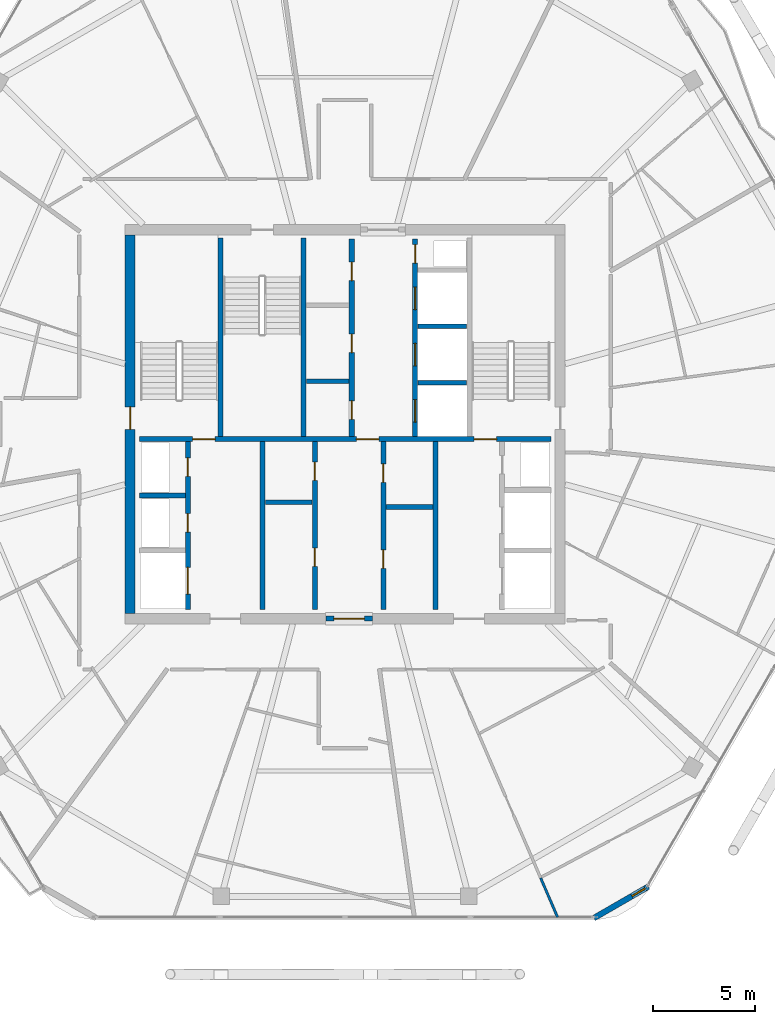
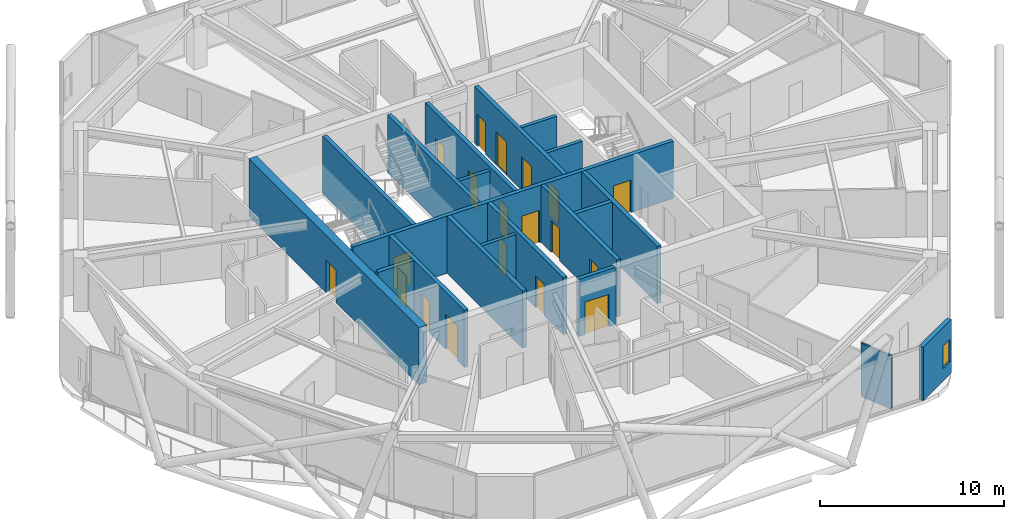
# One storey, part 18 of 24: 20 walls, 19 doors, 1 window, 20 openings.
"""IFC4 building model written with IfcOpenShell, lengths in metres."""

from ifc_helpers import new_model, si_unit, direction, frame, frame_2d, origin, place, context, subcontext, project, spatial, rectangle, extrude, material, layer, layer_set, type_object, element, fill, save


model = new_model("IFC4")

# Units and contexts
model_context = context("Model", 3, precision=1e-05, world=origin(), true_north=direction((0.0, 1.0)))
body_context = subcontext(model_context, "Body", "Model", "MODEL_VIEW")
ifc_project = project(units=[si_unit("LENGTHUNIT", "METRE"), si_unit("AREAUNIT", "SQUARE_METRE"), si_unit("VOLUMEUNIT", "CUBIC_METRE"), si_unit("PLANEANGLEUNIT", "RADIAN"), si_unit("MASSUNIT", "GRAM", prefix="KILO")], contexts=[model_context])

# Site, building, storey
site_placement = place(None, origin())
site = spatial("IfcSite", under=ifc_project, at=site_placement, CompositionType="ELEMENT")
building_placement = place(site_placement, origin())
building = spatial("IfcBuilding", under=site, at=building_placement, Name="Zuhravey Tower", CompositionType="ELEMENT")
storey_placement = place(building_placement, frame((0.0, 0.0, 308.199951171875)))
storey = spatial("IfcBuildingStorey", under=building, at=storey_placement, Name="L78", CompositionType="ELEMENT", Elevation=308.199951171875)

# Wall, opening, door
ifc_material_1 = material(Name="Concrete C50/60", Category="concrete")
ifc_layer_1 = layer(ifc_material_1, 0.5)
ifc_layer_set_1 = layer_set([ifc_layer_1], Name="Concrete C50/60")
wall_type_1 = type_object("IfcWallType", Name="Core Shear Wall 500", PredefinedType="SHEAR", material=ifc_layer_set_1)
wall_1_placement = place(storey_placement, frame((25.5, 22.75, 0.0), z_axis=(0.0, 0.0, 1.0), x_axis=(0.0, 1.0, 0.0)))
wall_1 = element("IfcWall", 1, at=wall_1_placement, inside=storey, type_object=wall_type_1, Name="L78 West Core Shear Wall CW50", PredefinedType="SHEAR", context=body_context, shape_type="SweptSolid", body=[
    extrude(rectangle(XDim=18.5, YDim=0.5, at=frame_2d((9.25, 0.0))), origin(), (0.0, 0.0, 1.0), 3.800048828125),
])
opening_1_placement = place(wall_1_placement, frame((9.0, 0.0, 0.0)))
opening_1 = element("IfcOpeningElement", 2, at=opening_1_placement, cuts=wall_1, Name="Opening STD1", PredefinedType="OPENING", context=body_context, shape_type="SweptSolid", body=[
    extrude(rectangle(XDim=1.10009765625, YDim=2.14990234375, at=frame_2d((0.550048828125, 1.074951171875))), frame((0.0, 0.261962890625, 0.0), z_axis=(0.0, -1.0, 0.0), x_axis=(1.0, 0.0, 0.0)), (0.0, 0.0, 1.0), 0.52392578125),
])
ifc_material_2 = material(Name="Galvanised fire-rated steel leaf", Category="steel")
door_type_1 = type_object("IfcDoorType", Name="Protected Stair Fire Door 1100x2150", OperationType="NOTDEFINED", PredefinedType="USERDEFINED", material=ifc_material_2)
door_1_placement = place(opening_1_placement, frame((1.10009765625, 0.0, 0.0), z_axis=(0.0, 0.0, 1.0), x_axis=(-1.0, 0.0, 0.0)))
door_1 = element("IfcDoor", 3, at=door_1_placement, inside=storey, type_object=door_type_1, Name="L78 Stair ST1 Door", ObjectType="EXITDOOR", OperationType="SINGLE_SWING_RIGHT", OverallHeight=2.14990234375, OverallWidth=1.10009765625, PredefinedType="USERDEFINED", context=body_context, shape_type="SweptSolid", body=[
    extrude(rectangle(XDim=1.10009765625, YDim=2.14990234375, at=frame_2d((0.550048828125, 1.074951171875))), frame((0.0, 0.02490234375, 0.0), z_axis=(0.0, -1.0, 0.0), x_axis=(1.0, 0.0, 0.0)), (0.0, 0.0, 1.0), 0.050048828125),
])
fill(opening_1, door_1)

# Wall, opening, window
ifc_material_3 = material(Name="Precast concrete C40/50", Category="concrete")
ifc_layer_2 = layer(ifc_material_3, 0.280029296875)
ifc_layer_set_2 = layer_set([ifc_layer_2], Name="Precast concrete C40/50")
wall_type_2 = type_object("IfcWallType", Name="Crown Architectural Wall 280", PredefinedType="SOLIDWALL", material=ifc_layer_set_2)
wall_2_placement = place(storey_placement, frame((50.811279296875, 9.410888671875, 0.0), z_axis=(0.0, 0.0, 1.0), x_axis=(-0.866023752521, -0.50000286006, 0.0)))
wall_2 = element("IfcWall", 4, at=wall_2_placement, inside=storey, type_object=wall_type_2, Name="L78 Rounded Corner Closure Wall EW28-02", PredefinedType="SOLIDWALL", context=body_context, shape_type="SweptSolid", body=[
    extrude(rectangle(XDim=3.06494140625, YDim=0.280029296875, at=frame_2d((1.532470703125, 0.0))), origin(), (0.0, 0.0, 1.0), 3.550048828125),
])
opening_2_placement = place(wall_2_placement, frame((0.1728515625, 0.0, 0.85009765625)))
opening_2 = element("IfcOpeningElement", 5, at=opening_2_placement, cuts=wall_2, Name="Opening WN5", PredefinedType="OPENING", context=body_context, shape_type="SweptSolid", body=[
    extrude(rectangle(XDim=0.75, YDim=1.5, at=frame_2d((0.375, 0.75))), frame((0.0, 0.152099609375, 0.0), z_axis=(0.0, -1.0, 0.0), x_axis=(1.0, 0.0, 0.0)), (0.0, 0.0, 1.0), 0.303955078125),
])
ifc_material_4 = material(Name="Thermally broken aluminium and triple low-E glass", Category="aluminium")
window_type = type_object("IfcWindowType", Name="Residential Corner Casement Window 750x1500", PartitioningType="SINGLE_PANEL", PredefinedType="WINDOW", material=ifc_material_4)
window_placement = place(opening_2_placement, origin())
window = element("IfcWindow", 6, at=window_placement, inside=storey, type_object=window_type, Name="L78 Corner Casement Window WN5-02.1", OverallHeight=1.5, OverallWidth=0.75, PartitioningType="SINGLE_PANEL", PredefinedType="WINDOW", context=body_context, shape_type="SweptSolid", body=[
    extrude(rectangle(XDim=0.75, YDim=1.5, at=frame_2d((0.375, 0.75))), frame((0.0, 0.030029296875, 0.0), z_axis=(0.0, -1.0, 0.0), x_axis=(1.0, 0.0, 0.0)), (0.0, 0.0, 1.0), 0.06005859375),
])
fill(opening_2, window)

# Wall, opening, door
ifc_layer_3 = layer(ifc_material_1, 0.25)
ifc_layer_set_3 = layer_set([ifc_layer_3], Name="Concrete C50/60")
wall_type_3 = type_object("IfcWallType", Name="Firefighting Shaft & Stair Wall 250", PredefinedType="SOLIDWALL", material=ifc_layer_set_3)
wall_3_placement = place(storey_placement, frame((35.06005859375, 22.5, 0.0), z_axis=(0.0, 0.0, 1.0), x_axis=(1.0, 0.0, 0.0)))
wall_3 = element("IfcWall", 7, at=wall_3_placement, inside=storey, type_object=wall_type_3, Name="L78 FW25 Shaft Wall 001", PredefinedType="SOLIDWALL", context=body_context, shape_type="SweptSolid", body=[
    extrude(rectangle(XDim=2.280029296875, YDim=0.25, at=frame_2d((1.14013671875, 0.0))), origin(), (0.0, 0.0, 1.0), 3.800048828125),
])
opening_3_placement = place(wall_3_placement, frame((0.389892578125, 0.0, 0.0)))
opening_3 = element("IfcOpeningElement", 8, at=opening_3_placement, cuts=wall_3, Name="Opening FFD1", PredefinedType="OPENING", context=body_context, shape_type="SweptSolid", body=[
    extrude(rectangle(XDim=1.5, YDim=2.14990234375, at=frame_2d((0.75, 1.074951171875))), frame((0.0, 0.136962890625, 0.0), z_axis=(0.0, -1.0, 0.0), x_axis=(1.0, 0.0, 0.0)), (0.0, 0.0, 1.0), 0.27392578125),
])
door_type_2 = type_object("IfcDoorType", Name="Firefighting Lobby Double Door 1500x2150", OperationType="DOUBLE_DOOR_SINGLE_SWING", PredefinedType="DOOR", material=ifc_material_2)
door_2_placement = place(opening_3_placement, frame((1.5, 0.0, 0.0), z_axis=(0.0, 0.0, 1.0), x_axis=(-1.0, 0.0, 0.0)))
door_2 = element("IfcDoor", 9, at=door_2_placement, inside=storey, type_object=door_type_2, Name="L78 South Lift Lobby Exit Door", OperationType="DOUBLE_DOOR_SINGLE_SWING", OverallHeight=2.14990234375, OverallWidth=1.5, PredefinedType="DOOR", context=body_context, shape_type="SweptSolid", body=[
    extrude(rectangle(XDim=1.5, YDim=2.14990234375, at=frame_2d((0.75, 1.074951171875))), frame((0.0, 0.02490234375, 0.0), z_axis=(0.0, -1.0, 0.0), x_axis=(1.0, 0.0, 0.0)), (0.0, 0.0, 1.0), 0.050048828125),
])
fill(opening_3, door_2)

# Wall, openings, doors
wall_4_placement = place(storey_placement, frame((25.949951171875, 31.27490234375, 0.0), z_axis=(0.0, 0.0, 1.0), x_axis=(1.0, 0.0, 0.0)))
wall_4 = element("IfcWall", 10, at=wall_4_placement, inside=storey, type_object=wall_type_3, Name="L78 FW25 Shaft Wall 003", PredefinedType="SOLIDWALL", context=body_context, shape_type="SweptSolid", body=[
    extrude(rectangle(XDim=20.10009765625, YDim=0.25, at=frame_2d((10.050048828125, 0.0))), origin(), (0.0, 0.0, 1.0), 3.800048828125),
])
opening_4_placement = place(wall_4_placement, frame((2.60009765625, 0.0, 0.0)))
opening_4 = element("IfcOpeningElement", 11, at=opening_4_placement, cuts=wall_4, Name="Opening STD1", PredefinedType="OPENING", context=body_context, shape_type="SweptSolid", body=[
    extrude(rectangle(XDim=1.10009765625, YDim=2.14990234375, at=frame_2d((0.550048828125, 1.074951171875))), frame((0.0, 0.136962890625, 0.0), z_axis=(0.0, -1.0, 0.0), x_axis=(1.0, 0.0, 0.0)), (0.0, 0.0, 1.0), 0.27392578125),
])
opening_5_placement = place(wall_4_placement, frame((10.60009765625, 0.0, 0.0)))
opening_5 = element("IfcOpeningElement", 12, at=opening_5_placement, cuts=wall_4, Name="Opening STD1", PredefinedType="OPENING", context=body_context, shape_type="SweptSolid", body=[
    extrude(rectangle(XDim=1.10009765625, YDim=2.14990234375, at=frame_2d((0.550048828125, 1.074951171875))), frame((0.0, 0.136962890625, 0.0), z_axis=(0.0, -1.0, 0.0), x_axis=(1.0, 0.0, 0.0)), (0.0, 0.0, 1.0), 0.27392578125),
])
opening_6_placement = place(wall_4_placement, frame((16.35009765625, 0.0, 0.0)))
opening_6 = element("IfcOpeningElement", 13, at=opening_6_placement, cuts=wall_4, Name="Opening STD1", PredefinedType="OPENING", context=body_context, shape_type="SweptSolid", body=[
    extrude(rectangle(XDim=1.10009765625, YDim=2.14990234375, at=frame_2d((0.550048828125, 1.074951171875))), frame((0.0, 0.136962890625, 0.0), z_axis=(0.0, -1.0, 0.0), x_axis=(1.0, 0.0, 0.0)), (0.0, 0.0, 1.0), 0.27392578125),
])
door_3_placement = place(opening_4_placement, origin())
door_3 = element("IfcDoor", 14, at=door_3_placement, inside=storey, type_object=door_type_1, Name="L78 FFL-W to ST1 Door", ObjectType="EXITDOOR", OperationType="SINGLE_SWING_LEFT", OverallHeight=2.14990234375, OverallWidth=1.10009765625, PredefinedType="USERDEFINED", context=body_context, shape_type="SweptSolid", body=[
    extrude(rectangle(XDim=1.10009765625, YDim=2.14990234375, at=frame_2d((0.550048828125, 1.074951171875))), frame((0.0, 0.02490234375, 0.0), z_axis=(0.0, -1.0, 0.0), x_axis=(1.0, 0.0, 0.0)), (0.0, 0.0, 1.0), 0.050048828125),
])
fill(opening_4, door_3)
door_4_placement = place(opening_5_placement, origin())
door_4 = element("IfcDoor", 15, at=door_4_placement, inside=storey, type_object=door_type_1, Name="L78 Core Lobby Link Door", ObjectType="EXITDOOR", OperationType="SINGLE_SWING_RIGHT", OverallHeight=2.14990234375, OverallWidth=1.10009765625, PredefinedType="USERDEFINED", context=body_context, shape_type="SweptSolid", body=[
    extrude(rectangle(XDim=1.10009765625, YDim=2.14990234375, at=frame_2d((0.550048828125, 1.074951171875))), frame((0.0, 0.02490234375, 0.0), z_axis=(0.0, -1.0, 0.0), x_axis=(1.0, 0.0, 0.0)), (0.0, 0.0, 1.0), 0.050048828125),
])
fill(opening_5, door_4)
door_5_placement = place(opening_6_placement, origin())
door_5 = element("IfcDoor", 16, at=door_5_placement, inside=storey, type_object=door_type_1, Name="L78 FFL-E to ST2 Door", ObjectType="EXITDOOR", OperationType="SINGLE_SWING_LEFT", OverallHeight=2.14990234375, OverallWidth=1.10009765625, PredefinedType="USERDEFINED", context=body_context, shape_type="SweptSolid", body=[
    extrude(rectangle(XDim=1.10009765625, YDim=2.14990234375, at=frame_2d((0.550048828125, 1.074951171875))), frame((0.0, 0.02490234375, 0.0), z_axis=(0.0, -1.0, 0.0), x_axis=(1.0, 0.0, 0.0)), (0.0, 0.0, 1.0), 0.050048828125),
])
fill(opening_6, door_5)

# Walls
for number, where, z_axis, x_axis, name in (
    (17, (29.925048828125, 31.39990234375, 0.0), (0.0, 0.0, 1.0), (0.0, 1.0, 0.0), "L78 FW25 Shaft Wall 004"),
    (18, (33.97509765625, 31.39990234375, 0.0), (0.0, 0.0, 1.0), (0.0, 1.0, 0.0), "L78 FW25 Shaft Wall 005"),
):
    element("IfcWall", number, at=place(storey_placement, frame(where, z_axis=z_axis, x_axis=x_axis)), inside=storey, type_object=wall_type_3, Name=name, PredefinedType="SOLIDWALL", context=body_context, shape_type="SweptSolid", body=[
        extrude(rectangle(XDim=9.7001953125, YDim=0.25, at=frame_2d((4.85009765625, 0.0))), origin(), (0.0, 0.0, 1.0), 3.800048828125),
    ])

# Wall, openings, doors
wall_5_placement = place(storey_placement, frame((36.324951171875, 31.39990234375, 0.0), z_axis=(0.0, 0.0, 1.0), x_axis=(0.0, 1.0, 0.0)))
wall_5 = element("IfcWall", 19, at=wall_5_placement, inside=storey, type_object=wall_type_3, Name="L78 FW25 Shaft Wall 007", PredefinedType="SOLIDWALL", context=body_context, shape_type="SweptSolid", body=[
    extrude(rectangle(XDim=9.650146484375, YDim=0.25, at=frame_2d((4.8251953125, 0.0))), origin(), (0.0, 0.0, 1.0), 3.800048828125),
])
opening_7_placement = place(wall_5_placement, frame((0.840087890625, 0.0, 0.0)))
opening_7 = element("IfcOpeningElement", 20, at=opening_7_placement, cuts=wall_5, Name="Opening RSD1", PredefinedType="OPENING", context=body_context, shape_type="SweptSolid", body=[
    extrude(rectangle(XDim=0.89990234375, YDim=2.10009765625, at=frame_2d((0.449951171875, 1.050048828125))), frame((0.0, 0.136962890625, 0.0), z_axis=(0.0, -1.0, 0.0), x_axis=(1.0, 0.0, 0.0)), (0.0, 0.0, 1.0), 0.27392578125),
])
opening_8_placement = place(wall_5_placement, frame((4.10009765625, 0.0, 0.0)))
opening_8 = element("IfcOpeningElement", 21, at=opening_8_placement, cuts=wall_5, Name="Opening RSD1", PredefinedType="OPENING", context=body_context, shape_type="SweptSolid", body=[
    extrude(rectangle(XDim=0.89990234375, YDim=2.10009765625, at=frame_2d((0.449951171875, 1.050048828125))), frame((0.0, 0.136962890625, 0.0), z_axis=(0.0, -1.0, 0.0), x_axis=(1.0, 0.0, 0.0)), (0.0, 0.0, 1.0), 0.27392578125),
])
opening_9_placement = place(wall_5_placement, frame((7.610107421875, 0.0, 0.0)))
opening_9 = element("IfcOpeningElement", 22, at=opening_9_placement, cuts=wall_5, Name="Opening RSD1", PredefinedType="OPENING", context=body_context, shape_type="SweptSolid", body=[
    extrude(rectangle(XDim=0.89990234375, YDim=2.10009765625, at=frame_2d((0.449951171875, 1.050048828125))), frame((0.0, 0.136962890625, 0.0), z_axis=(0.0, -1.0, 0.0), x_axis=(1.0, 0.0, 0.0)), (0.0, 0.0, 1.0), 0.27392578125),
])
ifc_material_5 = material(Name="Galvanised fire-rated steel access leaf", Category="steel")
door_type_3 = type_object("IfcDoorType", Name="Riser & Shaft Access Fire Door 900x2100", OperationType="NOTDEFINED", PredefinedType="DOOR", material=ifc_material_5)
door_6_placement = place(opening_7_placement, origin())
door_6 = element("IfcDoor", 23, at=door_6_placement, inside=storey, type_object=door_type_3, Name="L78 Core Staff WC Door", OperationType="SINGLE_SWING_RIGHT", OverallHeight=2.10009765625, OverallWidth=0.89990234375, PredefinedType="DOOR", context=body_context, shape_type="SweptSolid", body=[
    extrude(rectangle(XDim=0.89990234375, YDim=2.10009765625, at=frame_2d((0.449951171875, 1.050048828125))), frame((0.0, 0.02490234375, 0.0), z_axis=(0.0, -1.0, 0.0), x_axis=(1.0, 0.0, 0.0)), (0.0, 0.0, 1.0), 0.050048828125),
])
fill(opening_7, door_6)
door_7_placement = place(opening_8_placement, origin())
door_7 = element("IfcDoor", 24, at=door_7_placement, inside=storey, type_object=door_type_3, Name="L78 IT and Comms Room Door", OperationType="SINGLE_SWING_LEFT", OverallHeight=2.10009765625, OverallWidth=0.89990234375, PredefinedType="DOOR", context=body_context, shape_type="SweptSolid", body=[
    extrude(rectangle(XDim=0.89990234375, YDim=2.10009765625, at=frame_2d((0.449951171875, 1.050048828125))), frame((0.0, 0.02490234375, 0.0), z_axis=(0.0, -1.0, 0.0), x_axis=(1.0, 0.0, 0.0)), (0.0, 0.0, 1.0), 0.050048828125),
])
fill(opening_8, door_7)
door_8_placement = place(opening_9_placement, origin())
door_8 = element("IfcDoor", 25, at=door_8_placement, inside=storey, type_object=door_type_3, Name="L78 Janitor Linen Store Door", OperationType="SINGLE_SWING_RIGHT", OverallHeight=2.10009765625, OverallWidth=0.89990234375, PredefinedType="DOOR", context=body_context, shape_type="SweptSolid", body=[
    extrude(rectangle(XDim=0.89990234375, YDim=2.10009765625, at=frame_2d((0.449951171875, 1.050048828125))), frame((0.0, 0.02490234375, 0.0), z_axis=(0.0, -1.0, 0.0), x_axis=(1.0, 0.0, 0.0)), (0.0, 0.0, 1.0), 0.050048828125),
])
fill(opening_9, door_8)

wall_6_placement = place(storey_placement, frame((39.425048828125, 31.39990234375, 0.0), z_axis=(0.0, 0.0, 1.0), x_axis=(0.0, 1.0, 0.0)))
wall_6 = element("IfcWall", 26, at=wall_6_placement, inside=storey, type_object=wall_type_3, Name="L78 FW25 Shaft Wall 008", PredefinedType="SOLIDWALL", context=body_context, shape_type="SweptSolid", body=[
    extrude(rectangle(XDim=9.650146484375, YDim=0.25, at=frame_2d((4.8251953125, 0.0))), origin(), (0.0, 0.0, 1.0), 3.800048828125),
])
opening_10_placement = place(wall_6_placement, frame((0.699951171875, 0.0, 0.0)))
opening_10 = element("IfcOpeningElement", 27, at=opening_10_placement, cuts=wall_6, Name="Opening LD1", PredefinedType="OPENING", context=body_context, shape_type="SweptSolid", body=[
    extrude(rectangle(XDim=1.10009765625, YDim=2.199951171875, at=frame_2d((0.550048828125, 1.10009765625))), frame((0.0, 0.136962890625, 0.0), z_axis=(0.0, -1.0, 0.0), x_axis=(1.0, 0.0, 0.0)), (0.0, 0.0, 1.0), 0.27392578125),
])
opening_11_placement = place(wall_6_placement, frame((3.449951171875, 0.0, 0.0)))
opening_11 = element("IfcOpeningElement", 28, at=opening_11_placement, cuts=wall_6, Name="Opening LD1", PredefinedType="OPENING", context=body_context, shape_type="SweptSolid", body=[
    extrude(rectangle(XDim=1.10009765625, YDim=2.199951171875, at=frame_2d((0.550048828125, 1.10009765625))), frame((0.0, 0.136962890625, 0.0), z_axis=(0.0, -1.0, 0.0), x_axis=(1.0, 0.0, 0.0)), (0.0, 0.0, 1.0), 0.27392578125),
])
opening_12_placement = place(wall_6_placement, frame((6.199951171875, 0.0, 0.0)))
opening_12 = element("IfcOpeningElement", 29, at=opening_12_placement, cuts=wall_6, Name="Opening LD1", PredefinedType="OPENING", context=body_context, shape_type="SweptSolid", body=[
    extrude(rectangle(XDim=1.10009765625, YDim=2.199951171875, at=frame_2d((0.550048828125, 1.10009765625))), frame((0.0, 0.136962890625, 0.0), z_axis=(0.0, -1.0, 0.0), x_axis=(1.0, 0.0, 0.0)), (0.0, 0.0, 1.0), 0.27392578125),
])
opening_13_placement = place(wall_6_placement, frame((8.469970703125, 0.0, 0.0)))
opening_13 = element("IfcOpeningElement", 30, at=opening_13_placement, cuts=wall_6, Name="Opening RSD1", PredefinedType="OPENING", context=body_context, shape_type="SweptSolid", body=[
    extrude(rectangle(XDim=0.89990234375, YDim=2.10009765625, at=frame_2d((0.449951171875, 1.050048828125))), frame((0.0, 0.136962890625, 0.0), z_axis=(0.0, -1.0, 0.0), x_axis=(1.0, 0.0, 0.0)), (0.0, 0.0, 1.0), 0.27392578125),
])
ifc_material_6 = material(Name="Brushed stainless steel", Category="steel")
door_type_4 = type_object("IfcDoorType", Name="Lift Landing Sliding Door 1100x2200", OperationType="DOUBLE_DOOR_SLIDING", PredefinedType="DOOR", material=ifc_material_6)
door_9_placement = place(opening_10_placement, origin())
door_9 = element("IfcDoor", 31, at=door_9_placement, inside=storey, type_object=door_type_4, Name="L78 Lift PL7 Landing Door", OperationType="DOUBLE_DOOR_SLIDING", OverallHeight=2.199951171875, OverallWidth=1.10009765625, PredefinedType="DOOR", context=body_context, shape_type="SweptSolid", body=[
    extrude(rectangle(XDim=1.10009765625, YDim=2.199951171875, at=frame_2d((0.550048828125, 1.10009765625))), frame((0.0, 0.02490234375, 0.0), z_axis=(0.0, -1.0, 0.0), x_axis=(1.0, 0.0, 0.0)), (0.0, 0.0, 1.0), 0.050048828125),
])
fill(opening_10, door_9)
door_10_placement = place(opening_11_placement, origin())
door_10 = element("IfcDoor", 32, at=door_10_placement, inside=storey, type_object=door_type_4, Name="L78 Lift PL8 Landing Door", OperationType="DOUBLE_DOOR_SLIDING", OverallHeight=2.199951171875, OverallWidth=1.10009765625, PredefinedType="DOOR", context=body_context, shape_type="SweptSolid", body=[
    extrude(rectangle(XDim=1.10009765625, YDim=2.199951171875, at=frame_2d((0.550048828125, 1.10009765625))), frame((0.0, 0.02490234375, 0.0), z_axis=(0.0, -1.0, 0.0), x_axis=(1.0, 0.0, 0.0)), (0.0, 0.0, 1.0), 0.050048828125),
])
fill(opening_11, door_10)
door_11_placement = place(opening_12_placement, origin())
door_11 = element("IfcDoor", 33, at=door_11_placement, inside=storey, type_object=door_type_4, Name="L78 Lift PL9 Landing Door", OperationType="DOUBLE_DOOR_SLIDING", OverallHeight=2.199951171875, OverallWidth=1.10009765625, PredefinedType="DOOR", context=body_context, shape_type="SweptSolid", body=[
    extrude(rectangle(XDim=1.10009765625, YDim=2.199951171875, at=frame_2d((0.550048828125, 1.10009765625))), frame((0.0, 0.02490234375, 0.0), z_axis=(0.0, -1.0, 0.0), x_axis=(1.0, 0.0, 0.0)), (0.0, 0.0, 1.0), 0.050048828125),
])
fill(opening_12, door_11)
door_12_placement = place(opening_13_placement, origin())
door_12 = element("IfcDoor", 34, at=door_12_placement, inside=storey, type_object=door_type_3, Name="L78 North Riser Door", OperationType="SINGLE_SWING_LEFT", OverallHeight=2.10009765625, OverallWidth=0.89990234375, PredefinedType="DOOR", context=body_context, shape_type="SweptSolid", body=[
    extrude(rectangle(XDim=0.89990234375, YDim=2.10009765625, at=frame_2d((0.449951171875, 1.050048828125))), frame((0.0, 0.02490234375, 0.0), z_axis=(0.0, -1.0, 0.0), x_axis=(1.0, 0.0, 0.0)), (0.0, 0.0, 1.0), 0.050048828125),
])
fill(opening_13, door_12)

# Wall
wall_7_placement = place(storey_placement, frame((25.949951171875, 28.52490234375, 0.0), z_axis=(0.0, 0.0, 1.0), x_axis=(1.0, 0.0, 0.0)))
element("IfcWall", 35, at=wall_7_placement, inside=storey, type_object=wall_type_3, Name="L78 FW25 Shaft Wall 010", PredefinedType="SOLIDWALL", context=body_context, shape_type="SweptSolid", body=[
    extrude(rectangle(XDim=2.25, YDim=0.25, at=frame_2d((1.125, 0.0))), origin(), (0.0, 0.0, 1.0), 3.800048828125),
])

# Wall, openings, doors
wall_8_placement = place(storey_placement, frame((28.324951171875, 22.949951171875, 0.0), z_axis=(0.0, 0.0, 1.0), x_axis=(0.0, 1.0, 0.0)))
wall_8 = element("IfcWall", 36, at=wall_8_placement, inside=storey, type_object=wall_type_3, Name="L78 FW25 Shaft Wall 011", PredefinedType="SOLIDWALL", context=body_context, shape_type="SweptSolid", body=[
    extrude(rectangle(XDim=8.199951171875, YDim=0.25, at=frame_2d((4.10009765625, 0.0))), origin(), (0.0, 0.0, 1.0), 3.800048828125),
])
opening_14_placement = place(wall_8_placement, frame((0.75, 0.0, 0.0)))
opening_14 = element("IfcOpeningElement", 37, at=opening_14_placement, cuts=wall_8, Name="Opening LD2", PredefinedType="OPENING", context=body_context, shape_type="SweptSolid", body=[
    extrude(rectangle(XDim=1.300048828125, YDim=2.300048828125, at=frame_2d((0.64990234375, 1.14990234375))), frame((0.0, 0.136962890625, 0.0), z_axis=(0.0, -1.0, 0.0), x_axis=(1.0, 0.0, 0.0)), (0.0, 0.0, 1.0), 0.27392578125),
])
opening_15_placement = place(wall_8_placement, frame((3.780029296875, 0.0, 0.0)))
opening_15 = element("IfcOpeningElement", 38, at=opening_15_placement, cuts=wall_8, Name="Opening RSD1", PredefinedType="OPENING", context=body_context, shape_type="SweptSolid", body=[
    extrude(rectangle(XDim=0.89990234375, YDim=2.10009765625, at=frame_2d((0.449951171875, 1.050048828125))), frame((0.0, 0.136962890625, 0.0), z_axis=(0.0, -1.0, 0.0), x_axis=(1.0, 0.0, 0.0)), (0.0, 0.0, 1.0), 0.27392578125),
])
opening_16_placement = place(wall_8_placement, frame((6.5, 0.0, 0.0)))
opening_16 = element("IfcOpeningElement", 39, at=opening_16_placement, cuts=wall_8, Name="Opening RSD1", PredefinedType="OPENING", context=body_context, shape_type="SweptSolid", body=[
    extrude(rectangle(XDim=0.89990234375, YDim=2.10009765625, at=frame_2d((0.449951171875, 1.050048828125))), frame((0.0, 0.136962890625, 0.0), z_axis=(0.0, -1.0, 0.0), x_axis=(1.0, 0.0, 0.0)), (0.0, 0.0, 1.0), 0.27392578125),
])
door_type_5 = type_object("IfcDoorType", Name="Freight & Stretcher Lift Sliding Door 1300x2300", OperationType="DOUBLE_DOOR_SLIDING", PredefinedType="DOOR", material=ifc_material_6)
door_13_placement = place(opening_14_placement, frame((1.300048828125, 0.0, 0.0), z_axis=(0.0, 0.0, 1.0), x_axis=(-1.0, 0.0, 0.0)))
door_13 = element("IfcDoor", 40, at=door_13_placement, inside=storey, type_object=door_type_5, Name="L78 Lift FF1 Landing Door", OperationType="DOUBLE_DOOR_SLIDING", OverallHeight=2.300048828125, OverallWidth=1.300048828125, PredefinedType="DOOR", context=body_context, shape_type="SweptSolid", body=[
    extrude(rectangle(XDim=1.300048828125, YDim=2.300048828125, at=frame_2d((0.64990234375, 1.14990234375))), frame((0.0, 0.02490234375, 0.0), z_axis=(0.0, -1.0, 0.0), x_axis=(1.0, 0.0, 0.0)), (0.0, 0.0, 1.0), 0.050048828125),
])
fill(opening_14, door_13)
door_14_placement = place(opening_15_placement, frame((0.89990234375, 0.0, 0.0), z_axis=(0.0, 0.0, 1.0), x_axis=(-1.0, 0.0, 0.0)))
door_14 = element("IfcDoor", 41, at=door_14_placement, inside=storey, type_object=door_type_3, Name="L78 Electrical Riser Door", OperationType="SINGLE_SWING_RIGHT", OverallHeight=2.10009765625, OverallWidth=0.89990234375, PredefinedType="DOOR", context=body_context, shape_type="SweptSolid", body=[
    extrude(rectangle(XDim=0.89990234375, YDim=2.10009765625, at=frame_2d((0.449951171875, 1.050048828125))), frame((0.0, 0.02490234375, 0.0), z_axis=(0.0, -1.0, 0.0), x_axis=(1.0, 0.0, 0.0)), (0.0, 0.0, 1.0), 0.050048828125),
])
fill(opening_15, door_14)
door_15_placement = place(opening_16_placement, frame((0.89990234375, 0.0, 0.0), z_axis=(0.0, 0.0, 1.0), x_axis=(-1.0, 0.0, 0.0)))
door_15 = element("IfcDoor", 42, at=door_15_placement, inside=storey, type_object=door_type_3, Name="L78 Smoke Shaft Access Door", OperationType="SINGLE_SWING_LEFT", OverallHeight=2.10009765625, OverallWidth=0.89990234375, PredefinedType="DOOR", context=body_context, shape_type="SweptSolid", body=[
    extrude(rectangle(XDim=0.89990234375, YDim=2.10009765625, at=frame_2d((0.449951171875, 1.050048828125))), frame((0.0, 0.02490234375, 0.0), z_axis=(0.0, -1.0, 0.0), x_axis=(1.0, 0.0, 0.0)), (0.0, 0.0, 1.0), 0.050048828125),
])
fill(opening_16, door_15)

# Wall
wall_9_placement = place(storey_placement, frame((31.97509765625, 22.949951171875, 0.0), z_axis=(0.0, 0.0, 1.0), x_axis=(0.0, 1.0, 0.0)))
element("IfcWall", 43, at=wall_9_placement, inside=storey, type_object=wall_type_3, Name="L78 FW25 Shaft Wall 012", PredefinedType="SOLIDWALL", context=body_context, shape_type="SweptSolid", body=[
    extrude(rectangle(XDim=8.199951171875, YDim=0.25, at=frame_2d((4.10009765625, 0.0))), origin(), (0.0, 0.0, 1.0), 3.800048828125),
])

# Wall, openings, doors
wall_10_placement = place(storey_placement, frame((34.52490234375, 22.949951171875, 0.0), z_axis=(0.0, 0.0, 1.0), x_axis=(0.0, 1.0, 0.0)))
wall_10 = element("IfcWall", 44, at=wall_10_placement, inside=storey, type_object=wall_type_3, Name="L78 FW25 Shaft Wall 013", PredefinedType="SOLIDWALL", context=body_context, shape_type="SweptSolid", body=[
    extrude(rectangle(XDim=8.199951171875, YDim=0.25, at=frame_2d((4.10009765625, 0.0))), origin(), (0.0, 0.0, 1.0), 3.800048828125),
])
opening_17_placement = place(wall_10_placement, frame((2.10009765625, 0.0, 0.0)))
opening_17 = element("IfcOpeningElement", 45, at=opening_17_placement, cuts=wall_10, Name="Opening RSD1", PredefinedType="OPENING", context=body_context, shape_type="SweptSolid", body=[
    extrude(rectangle(XDim=0.89990234375, YDim=2.10009765625, at=frame_2d((0.449951171875, 1.050048828125))), frame((0.0, 0.136962890625, 0.0), z_axis=(0.0, -1.0, 0.0), x_axis=(1.0, 0.0, 0.0)), (0.0, 0.0, 1.0), 0.27392578125),
])
opening_18_placement = place(wall_10_placement, frame((6.300048828125, 0.0, 0.0)))
opening_18 = element("IfcOpeningElement", 46, at=opening_18_placement, cuts=wall_10, Name="Opening RSD1", PredefinedType="OPENING", context=body_context, shape_type="SweptSolid", body=[
    extrude(rectangle(XDim=0.89990234375, YDim=2.10009765625, at=frame_2d((0.449951171875, 1.050048828125))), frame((0.0, 0.136962890625, 0.0), z_axis=(0.0, -1.0, 0.0), x_axis=(1.0, 0.0, 0.0)), (0.0, 0.0, 1.0), 0.27392578125),
])
door_16_placement = place(opening_17_placement, origin())
door_16 = element("IfcDoor", 47, at=door_16_placement, inside=storey, type_object=door_type_3, Name="L78 Housekeeping Store Door", OperationType="SINGLE_SWING_RIGHT", OverallHeight=2.10009765625, OverallWidth=0.89990234375, PredefinedType="DOOR", context=body_context, shape_type="SweptSolid", body=[
    extrude(rectangle(XDim=0.89990234375, YDim=2.10009765625, at=frame_2d((0.449951171875, 1.050048828125))), frame((0.0, 0.02490234375, 0.0), z_axis=(0.0, -1.0, 0.0), x_axis=(1.0, 0.0, 0.0)), (0.0, 0.0, 1.0), 0.050048828125),
])
fill(opening_17, door_16)
door_17_placement = place(opening_18_placement, origin())
door_17 = element("IfcDoor", 48, at=door_17_placement, inside=storey, type_object=door_type_3, Name="L78 Comms Closet Door", OperationType="SINGLE_SWING_LEFT", OverallHeight=2.10009765625, OverallWidth=0.89990234375, PredefinedType="DOOR", context=body_context, shape_type="SweptSolid", body=[
    extrude(rectangle(XDim=0.89990234375, YDim=2.10009765625, at=frame_2d((0.449951171875, 1.050048828125))), frame((0.0, 0.02490234375, 0.0), z_axis=(0.0, -1.0, 0.0), x_axis=(1.0, 0.0, 0.0)), (0.0, 0.0, 1.0), 0.050048828125),
])
fill(opening_18, door_17)

# Wall
wall_11_placement = place(storey_placement, frame((38.0, 27.949951171875, 0.0), z_axis=(0.0, 0.0, 1.0), x_axis=(1.0, 0.0, 0.0)))
element("IfcWall", 49, at=wall_11_placement, inside=storey, type_object=wall_type_3, Name="L78 FW25 Shaft Wall 014", PredefinedType="SOLIDWALL", context=body_context, shape_type="SweptSolid", body=[
    extrude(rectangle(XDim=2.300048828125, YDim=0.25, at=frame_2d((1.14990234375, 0.0))), origin(), (0.0, 0.0, 1.0), 3.800048828125),
])

# Wall, openings, doors
wall_12_placement = place(storey_placement, frame((37.875, 22.949951171875, 0.0), z_axis=(0.0, 0.0, 1.0), x_axis=(0.0, 1.0, 0.0)))
wall_12 = element("IfcWall", 50, at=wall_12_placement, inside=storey, type_object=wall_type_3, Name="L78 FW25 Shaft Wall 015", PredefinedType="SOLIDWALL", context=body_context, shape_type="SweptSolid", body=[
    extrude(rectangle(XDim=8.199951171875, YDim=0.25, at=frame_2d((4.10009765625, 0.0))), origin(), (0.0, 0.0, 1.0), 3.800048828125),
])
opening_19_placement = place(wall_12_placement, frame((2.012451171875, 0.0, 0.0)))
opening_19 = element("IfcOpeningElement", 51, at=opening_19_placement, cuts=wall_12, Name="Opening RSD1", PredefinedType="OPENING", context=body_context, shape_type="SweptSolid", body=[
    extrude(rectangle(XDim=0.89990234375, YDim=2.10009765625, at=frame_2d((0.449951171875, 1.050048828125))), frame((0.0, 0.136962890625, 0.0), z_axis=(0.0, -1.0, 0.0), x_axis=(1.0, 0.0, 0.0)), (0.0, 0.0, 1.0), 0.27392578125),
])
opening_20_placement = place(wall_12_placement, frame((6.21240234375, 0.0, 0.0)))
opening_20 = element("IfcOpeningElement", 52, at=opening_20_placement, cuts=wall_12, Name="Opening RSD1", PredefinedType="OPENING", context=body_context, shape_type="SweptSolid", body=[
    extrude(rectangle(XDim=0.89990234375, YDim=2.10009765625, at=frame_2d((0.449951171875, 1.050048828125))), frame((0.0, 0.136962890625, 0.0), z_axis=(0.0, -1.0, 0.0), x_axis=(1.0, 0.0, 0.0)), (0.0, 0.0, 1.0), 0.27392578125),
])
door_18_placement = place(opening_19_placement, frame((0.89990234375, 0.0, 0.0), z_axis=(0.0, 0.0, 1.0), x_axis=(-1.0, 0.0, 0.0)))
door_18 = element("IfcDoor", 53, at=door_18_placement, inside=storey, type_object=door_type_3, Name="L78 Trunk Store Door", OperationType="SINGLE_SWING_RIGHT", OverallHeight=2.10009765625, OverallWidth=0.89990234375, PredefinedType="DOOR", context=body_context, shape_type="SweptSolid", body=[
    extrude(rectangle(XDim=0.89990234375, YDim=2.10009765625, at=frame_2d((0.449951171875, 1.050048828125))), frame((0.0, 0.02490234375, 0.0), z_axis=(0.0, -1.0, 0.0), x_axis=(1.0, 0.0, 0.0)), (0.0, 0.0, 1.0), 0.050048828125),
])
fill(opening_19, door_18)
door_19_placement = place(opening_20_placement, frame((0.89990234375, 0.0, 0.0), z_axis=(0.0, 0.0, 1.0), x_axis=(-1.0, 0.0, 0.0)))
door_19 = element("IfcDoor", 54, at=door_19_placement, inside=storey, type_object=door_type_3, Name="L78 Fiber Room Door", OperationType="SINGLE_SWING_LEFT", OverallHeight=2.10009765625, OverallWidth=0.89990234375, PredefinedType="DOOR", context=body_context, shape_type="SweptSolid", body=[
    extrude(rectangle(XDim=0.89990234375, YDim=2.10009765625, at=frame_2d((0.449951171875, 1.050048828125))), frame((0.0, 0.02490234375, 0.0), z_axis=(0.0, -1.0, 0.0), x_axis=(1.0, 0.0, 0.0)), (0.0, 0.0, 1.0), 0.050048828125),
])
fill(opening_20, door_19)

# Walls
wall_13_placement = place(storey_placement, frame((40.425048828125, 22.949951171875, 0.0), z_axis=(0.0, 0.0, 1.0), x_axis=(0.0, 1.0, 0.0)))
element("IfcWall", 55, at=wall_13_placement, inside=storey, type_object=wall_type_3, Name="L78 FW25 Shaft Wall 016", PredefinedType="SOLIDWALL", context=body_context, shape_type="SweptSolid", body=[
    extrude(rectangle(XDim=8.199951171875, YDim=0.25, at=frame_2d((4.10009765625, 0.0))), origin(), (0.0, 0.0, 1.0), 3.800048828125),
])
ifc_material_7 = material(Name="Gypsum acoustic stud assembly")
ifc_layer_4 = layer(ifc_material_7, 0.219970703125)
ifc_layer_set_4 = layer_set([ifc_layer_4], Name="Gypsum acoustic stud assembly")
wall_type_4 = type_object("IfcWallType", Name="School Acoustic Compartment Wall 220", PredefinedType="PARTITIONING", material=ifc_layer_set_4)
wall_14_placement = place(storey_placement, frame((34.10791015625, 34.10009765625, 0.0), z_axis=(0.0, 0.0, 1.0), x_axis=(1.0, 0.0, 0.0)))
element("IfcWall", 56, at=wall_14_placement, inside=storey, type_object=wall_type_4, Name="L78 IW22 Partition 052", PredefinedType="PARTITIONING", context=body_context, shape_type="SweptSolid", body=[
    extrude(rectangle(XDim=2.083984375, YDim=0.219970703125, at=frame_2d((1.0419921875, 0.0))), origin(), (0.0, 0.0, 1.0), 3.550048828125),
])
for number, where, z_axis, x_axis, name in (
    (57, (39.55810546875, 34.02490234375, 0.0), (0.0, 0.0, 1.0), (1.0, 0.0, 0.0), "L78 IW22 Partition 054"),
    (58, (39.55810546875, 36.77490234375, 0.0), (0.0, 0.0, 1.0), (1.0, 0.0, 0.0), "L78 IW22 Partition 055"),
):
    element("IfcWall", number, at=place(storey_placement, frame(where, z_axis=z_axis, x_axis=x_axis)), inside=storey, type_object=wall_type_4, Name=name, PredefinedType="PARTITIONING", context=body_context, shape_type="SweptSolid", body=[
        extrude(rectangle(XDim=2.3837890625, YDim=0.219970703125, at=frame_2d((1.19189453125, 0.0))), origin(), (0.0, 0.0, 1.0), 3.550048828125),
    ])
wall_15_placement = place(storey_placement, frame((32.10791015625, 28.175048828125, 0.0), z_axis=(0.0, 0.0, 1.0), x_axis=(1.0, 0.0, 0.0)))
element("IfcWall", 59, at=wall_15_placement, inside=storey, type_object=wall_type_4, Name="L78 IW22 Partition 057", PredefinedType="PARTITIONING", context=body_context, shape_type="SweptSolid", body=[
    extrude(rectangle(XDim=2.2841796875, YDim=0.219970703125, at=frame_2d((1.14208984375, 0.0))), origin(), (0.0, 0.0, 1.0), 3.550048828125),
])
ifc_material_8 = material(Name="Gypsum metal-stud partition")
ifc_layer_5 = layer(ifc_material_8, 0.1201171875)
ifc_layer_set_5 = layer_set([ifc_layer_5], Name="Gypsum metal-stud partition")
wall_type_5 = type_object("IfcWallType", Name="Unit Internal Partition 120", PredefinedType="PARTITIONING", material=ifc_layer_set_5)
wall_16_placement = place(storey_placement, frame((45.55615234375, 9.832275390625, 0.0), z_axis=(0.0, 0.0, 1.0), x_axis=(0.39587198398, -0.918305707431, 0.0)))
element("IfcWall", 60, at=wall_16_placement, inside=storey, type_object=wall_type_5, Name="L78 IW12 Partition 081", PredefinedType="PARTITIONING", context=body_context, shape_type="SweptSolid", body=[
    extrude(rectangle(XDim=2.081298828125, YDim=0.1201171875, at=frame_2d((1.04052734375, 0.0))), origin(), (0.0, 0.0, 1.0), 3.550048828125),
])

save(model, "model.ifc")
